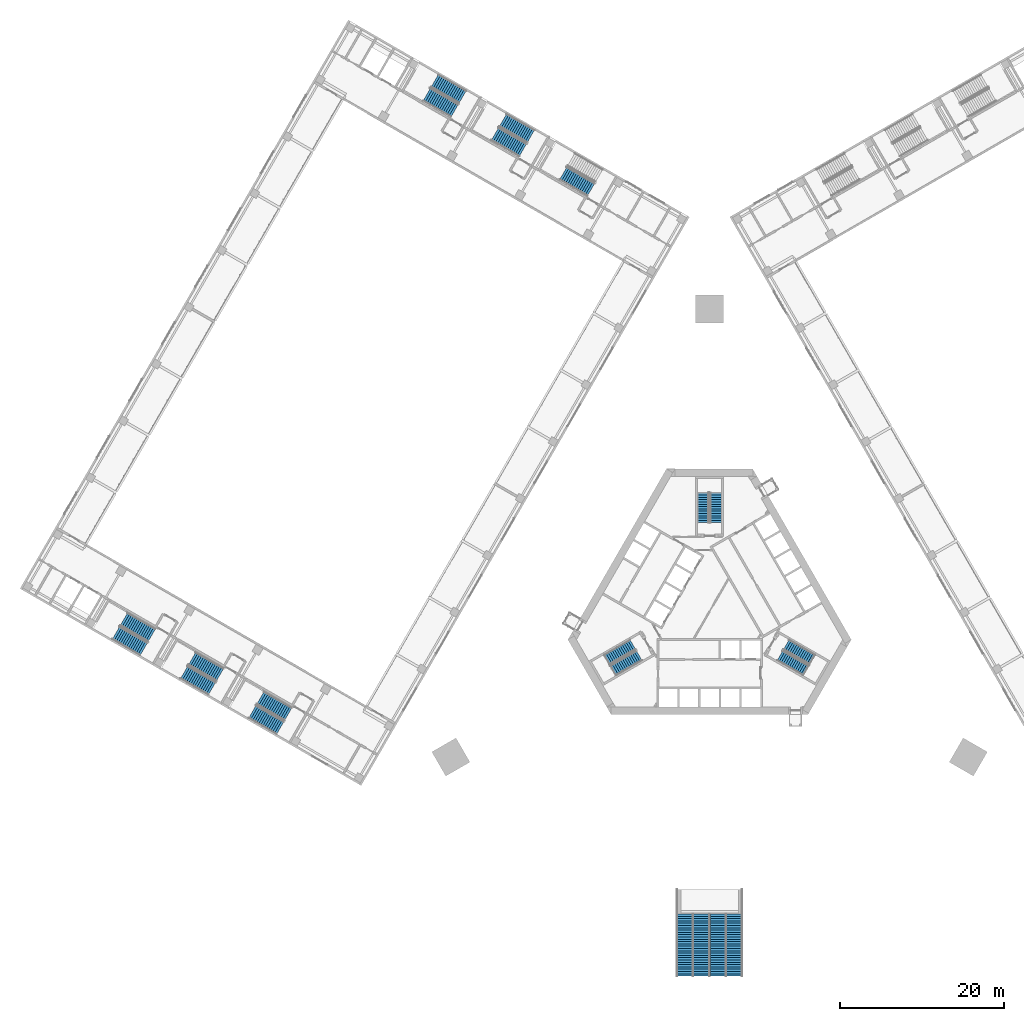
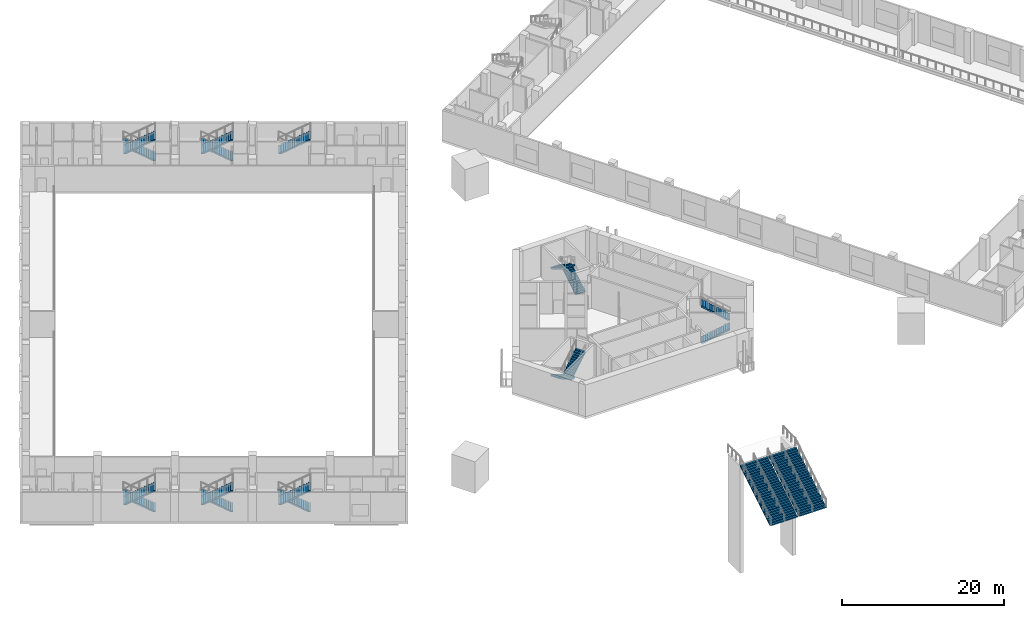
# One storey, part 19 of 28: 19 stair flights, 10 elements without a shape of their own.
"""IFC4 building model written with IfcOpenShell, lengths in metres."""

from ifc_helpers import new_model, si_unit, direction, frame, origin, place, context, subcontext, project, spatial, polyline, outline, extrude, material, type_object, element, aggregate, save


model = new_model("IFC4")

# Units and contexts
model_context = context("Model", 3, precision=1e-05, world=origin(), true_north=direction((0.0, 1.0)))
body_context = subcontext(model_context, "Body", "Model", "MODEL_VIEW")
ifc_project = project(units=[si_unit("LENGTHUNIT", "METRE"), si_unit("AREAUNIT", "SQUARE_METRE"), si_unit("VOLUMEUNIT", "CUBIC_METRE"), si_unit("PLANEANGLEUNIT", "RADIAN"), si_unit("MASSUNIT", "GRAM", prefix="KILO")], contexts=[model_context])

# Site, building, storey
site_placement = place(None, origin())
site = spatial("IfcSite", under=ifc_project, at=site_placement, CompositionType="ELEMENT")
building_placement = place(site_placement, origin())
building = spatial("IfcBuilding", under=site, at=building_placement, Name="Mestral Congress Tower", CompositionType="ELEMENT")
storey_placement = place(building_placement, frame((0.0, 0.0, 11.39990234375)))
storey = spatial("IfcBuildingStorey", under=building, at=storey_placement, Name="L02", CompositionType="ELEMENT", Elevation=11.39990234375)

# Stair, stair flights
ifc_material_1 = material(Name="Concrete C60/75", Category="concrete")
stair_type_1 = type_object("IfcStairType", Name="Exit stair 1400", PredefinedType="HALF_TURN_STAIR", material=ifc_material_1)
placement = place(storey_placement, origin())
stair_1 = element("IfcStair", 1, at=placement, inside=storey, type_object=stair_type_1, Name="L02 ST1", PredefinedType="HALF_TURN_STAIR")
stair_flight_type_1 = type_object("IfcStairFlightType", Name="Exit stair flight 1400", PredefinedType="STRAIGHT", material=ifc_material_1)
stair_flight_1_placement = place(storey_placement, frame((8.575927734375, -5.84619140625, 0.0), z_axis=(0.0, 0.0, 1.0), x_axis=(0.866025403784, -0.5, 0.0)))
stair_flight_1 = element("IfcStairFlight", 2, at=stair_flight_1_placement, type_object=stair_flight_type_1, Name="ST1 flight 1", NumberOfRisers=14, NumberOfTreads=13, PredefinedType="STRAIGHT", RiserHeight=0.171428571, TreadLength=0.28, context=body_context, shape_type="SweptSolid", body=[
    extrude(outline(polyline([(0.0, 0.0), (0.0, 0.17138671875), (0.280029296875, 0.17138671875), (0.280029296875, 0.3427734375), (0.56005859375, 0.3427734375), (0.56005859375, 0.514404296875), (0.840087890625, 0.514404296875), (0.840087890625, 0.685791015625), (1.1201171875, 0.685791015625), (1.1201171875, 0.857177734375), (1.39990234375, 0.857177734375), (1.39990234375, 1.028564453125), (1.679931640625, 1.028564453125), (1.679931640625, 1.199951171875), (1.9599609375, 1.199951171875), (1.9599609375, 1.371337890625), (2.239990234375, 1.371337890625), (2.239990234375, 1.54296875), (2.52001953125, 1.54296875), (2.52001953125, 1.71435546875), (2.800048828125, 1.71435546875), (2.800048828125, 1.8857421875), (3.080078125, 1.8857421875), (3.080078125, 2.05712890625), (3.360107421875, 2.05712890625), (3.360107421875, 2.228515625), (3.639892578125, 2.228515625), (3.639892578125, 2.39990234375), (3.639892578125, 2.052734375), (0.287109375, 0.0), (0.0, 0.0)])), frame((0.0, 0.699951171875, 0.0), z_axis=(0.0, -1.0, 0.0), x_axis=(1.0, 0.0, 0.0)), (0.0, 0.0, 1.0), 1.39990234375),
])
stair_flight_2_placement = place(storey_placement, frame((12.503173828125, -6.32373046875, 2.400146484375), z_axis=(0.0, 0.0, 1.0), x_axis=(-0.866025403784, 0.5, 0.0)))
stair_flight_2 = element("IfcStairFlight", 3, at=stair_flight_2_placement, type_object=stair_flight_type_1, Name="ST1 flight 2", NumberOfRisers=14, NumberOfTreads=13, PredefinedType="STRAIGHT", RiserHeight=0.171428571, TreadLength=0.28, context=body_context, shape_type="SweptSolid", body=[
    extrude(outline(polyline([(0.0, 0.0), (0.0, 0.17138671875), (0.280029296875, 0.17138671875), (0.280029296875, 0.3427734375), (0.56005859375, 0.3427734375), (0.56005859375, 0.514404296875), (0.840087890625, 0.514404296875), (0.840087890625, 0.685791015625), (1.1201171875, 0.685791015625), (1.1201171875, 0.857177734375), (1.39990234375, 0.857177734375), (1.39990234375, 1.028564453125), (1.679931640625, 1.028564453125), (1.679931640625, 1.199951171875), (1.9599609375, 1.199951171875), (1.9599609375, 1.371337890625), (2.239990234375, 1.371337890625), (2.239990234375, 1.54296875), (2.52001953125, 1.54296875), (2.52001953125, 1.71435546875), (2.800048828125, 1.71435546875), (2.800048828125, 1.8857421875), (3.080078125, 1.8857421875), (3.080078125, 2.05712890625), (3.360107421875, 2.05712890625), (3.360107421875, 2.228515625), (3.639892578125, 2.228515625), (3.639892578125, 2.39990234375), (3.639892578125, 2.052734375), (0.287109375, 0.0), (0.0, 0.0)])), frame((0.0, 0.699951171875, 0.0), z_axis=(0.0, -1.0, 0.0), x_axis=(1.0, 0.0, 0.0)), (0.0, 0.0, 1.0), 1.39990234375),
])
aggregate(stair_1, [stair_flight_1, stair_flight_2])

stair_2 = element("IfcStair", 4, at=placement, inside=storey, type_object=stair_type_1, Name="L02 ST2", PredefinedType="HALF_TURN_STAIR")
stair_flight_3_placement = place(storey_placement, frame((0.77490234375, 10.35009765625, 0.0), z_axis=(0.0, 0.0, 1.0), x_axis=(0.0, 1.0, 0.0)))
stair_flight_3 = element("IfcStairFlight", 5, at=stair_flight_3_placement, type_object=stair_flight_type_1, Name="ST2 flight 1", NumberOfRisers=14, NumberOfTreads=13, PredefinedType="STRAIGHT", RiserHeight=0.171428571, TreadLength=0.28, context=body_context, shape_type="SweptSolid", body=[
    extrude(outline(polyline([(0.0, 0.0), (0.0, 0.17138671875), (0.280029296875, 0.17138671875), (0.280029296875, 0.3427734375), (0.56005859375, 0.3427734375), (0.56005859375, 0.514404296875), (0.840087890625, 0.514404296875), (0.840087890625, 0.685791015625), (1.1201171875, 0.685791015625), (1.1201171875, 0.857177734375), (1.39990234375, 0.857177734375), (1.39990234375, 1.028564453125), (1.679931640625, 1.028564453125), (1.679931640625, 1.199951171875), (1.9599609375, 1.199951171875), (1.9599609375, 1.371337890625), (2.239990234375, 1.371337890625), (2.239990234375, 1.54296875), (2.52001953125, 1.54296875), (2.52001953125, 1.71435546875), (2.800048828125, 1.71435546875), (2.800048828125, 1.8857421875), (3.080078125, 1.8857421875), (3.080078125, 2.05712890625), (3.360107421875, 2.05712890625), (3.360107421875, 2.228515625), (3.639892578125, 2.228515625), (3.639892578125, 2.39990234375), (3.639892578125, 2.052734375), (0.287109375, 0.0), (0.0, 0.0)])), frame((0.0, 0.699951171875, 0.0), z_axis=(0.0, -1.0, 0.0), x_axis=(1.0, 0.0, 0.0)), (0.0, 0.0, 1.0), 1.39990234375),
])
stair_flight_4_placement = place(storey_placement, frame((-0.77490234375, 13.989990234375, 2.400146484375), z_axis=(0.0, 0.0, 1.0), x_axis=(0.0, -1.0, 0.0)))
stair_flight_4 = element("IfcStairFlight", 6, at=stair_flight_4_placement, type_object=stair_flight_type_1, Name="ST2 flight 2", NumberOfRisers=14, NumberOfTreads=13, PredefinedType="STRAIGHT", RiserHeight=0.171428571, TreadLength=0.28, context=body_context, shape_type="SweptSolid", body=[
    extrude(outline(polyline([(0.0, 0.0), (0.0, 0.17138671875), (0.280029296875, 0.17138671875), (0.280029296875, 0.3427734375), (0.56005859375, 0.3427734375), (0.56005859375, 0.514404296875), (0.840087890625, 0.514404296875), (0.840087890625, 0.685791015625), (1.1201171875, 0.685791015625), (1.1201171875, 0.857177734375), (1.39990234375, 0.857177734375), (1.39990234375, 1.028564453125), (1.679931640625, 1.028564453125), (1.679931640625, 1.199951171875), (1.9599609375, 1.199951171875), (1.9599609375, 1.371337890625), (2.239990234375, 1.371337890625), (2.239990234375, 1.54296875), (2.52001953125, 1.54296875), (2.52001953125, 1.71435546875), (2.800048828125, 1.71435546875), (2.800048828125, 1.8857421875), (3.080078125, 1.8857421875), (3.080078125, 2.05712890625), (3.360107421875, 2.05712890625), (3.360107421875, 2.228515625), (3.639892578125, 2.228515625), (3.639892578125, 2.39990234375), (3.639892578125, 2.052734375), (0.287109375, 0.0), (0.0, 0.0)])), frame((0.0, 0.699951171875, 0.0), z_axis=(0.0, -1.0, 0.0), x_axis=(1.0, 0.0, 0.0)), (0.0, 0.0, 1.0), 1.39990234375),
])
aggregate(stair_2, [stair_flight_3, stair_flight_4])

stair_3 = element("IfcStair", 7, at=placement, inside=storey, type_object=stair_type_1, Name="L02 ST3", PredefinedType="HALF_TURN_STAIR")
stair_flight_5_placement = place(storey_placement, frame((-9.350830078125, -4.50390625, 0.0), z_axis=(0.0, 0.0, 1.0), x_axis=(-0.866025403784, -0.5, 0.0)))
stair_flight_5 = element("IfcStairFlight", 8, at=stair_flight_5_placement, type_object=stair_flight_type_1, Name="ST3 flight 1", NumberOfRisers=14, NumberOfTreads=13, PredefinedType="STRAIGHT", RiserHeight=0.171428571, TreadLength=0.28, context=body_context, shape_type="SweptSolid", body=[
    extrude(outline(polyline([(0.0, 0.0), (0.0, 0.17138671875), (0.280029296875, 0.17138671875), (0.280029296875, 0.3427734375), (0.56005859375, 0.3427734375), (0.56005859375, 0.514404296875), (0.840087890625, 0.514404296875), (0.840087890625, 0.685791015625), (1.1201171875, 0.685791015625), (1.1201171875, 0.857177734375), (1.39990234375, 0.857177734375), (1.39990234375, 1.028564453125), (1.679931640625, 1.028564453125), (1.679931640625, 1.199951171875), (1.9599609375, 1.199951171875), (1.9599609375, 1.371337890625), (2.239990234375, 1.371337890625), (2.239990234375, 1.54296875), (2.52001953125, 1.54296875), (2.52001953125, 1.71435546875), (2.800048828125, 1.71435546875), (2.800048828125, 1.8857421875), (3.080078125, 1.8857421875), (3.080078125, 2.05712890625), (3.360107421875, 2.05712890625), (3.360107421875, 2.228515625), (3.639892578125, 2.228515625), (3.639892578125, 2.39990234375), (3.639892578125, 2.052734375), (0.287109375, 0.0), (0.0, 0.0)])), frame((0.0, 0.699951171875, 0.0), z_axis=(0.0, -1.0, 0.0), x_axis=(1.0, 0.0, 0.0)), (0.0, 0.0, 1.0), 1.39990234375),
])
stair_flight_6_placement = place(storey_placement, frame((-11.728271484375, -7.666259765625, 2.400146484375), z_axis=(0.0, 0.0, 1.0), x_axis=(0.866025403784, 0.5, 0.0)))
stair_flight_6 = element("IfcStairFlight", 9, at=stair_flight_6_placement, type_object=stair_flight_type_1, Name="ST3 flight 2", NumberOfRisers=14, NumberOfTreads=13, PredefinedType="STRAIGHT", RiserHeight=0.171428571, TreadLength=0.28, context=body_context, shape_type="SweptSolid", body=[
    extrude(outline(polyline([(0.0, 0.0), (0.0, 0.17138671875), (0.280029296875, 0.17138671875), (0.280029296875, 0.3427734375), (0.56005859375, 0.3427734375), (0.56005859375, 0.514404296875), (0.840087890625, 0.514404296875), (0.840087890625, 0.685791015625), (1.1201171875, 0.685791015625), (1.1201171875, 0.857177734375), (1.39990234375, 0.857177734375), (1.39990234375, 1.028564453125), (1.679931640625, 1.028564453125), (1.679931640625, 1.199951171875), (1.9599609375, 1.199951171875), (1.9599609375, 1.371337890625), (2.239990234375, 1.371337890625), (2.239990234375, 1.54296875), (2.52001953125, 1.54296875), (2.52001953125, 1.71435546875), (2.800048828125, 1.71435546875), (2.800048828125, 1.8857421875), (3.080078125, 1.8857421875), (3.080078125, 2.05712890625), (3.360107421875, 2.05712890625), (3.360107421875, 2.228515625), (3.639892578125, 2.228515625), (3.639892578125, 2.39990234375), (3.639892578125, 2.052734375), (0.287109375, 0.0), (0.0, 0.0)])), frame((0.0, 0.699951171875, 0.0), z_axis=(0.0, -1.0, 0.0), x_axis=(1.0, 0.0, 0.0)), (0.0, 0.0, 1.0), 1.39990234375),
])
aggregate(stair_3, [stair_flight_5, stair_flight_6])

ifc_material_2 = material(Name="Precast concrete C40/50", Category="concrete")
stair_type_2 = type_object("IfcStairType", Name="Podium broad stair 8000", PredefinedType="STRAIGHT_RUN_STAIR", material=ifc_material_2)
stair_4 = element("IfcStair", 10, at=placement, inside=storey, type_object=stair_type_2, Name="Broad stairs L02", PredefinedType="STRAIGHT_RUN_STAIR")
stair_flight_type_2 = type_object("IfcStairFlightType", Name="Podium broad stair flight 3900", PredefinedType="STRAIGHT", material=ifc_material_2)
stair_flight_7_placement = place(storey_placement, frame((-2.050048828125, -44.887939453125, 0.0), z_axis=(0.0, 0.0, 1.0), x_axis=(0.0, 1.0, 0.0)))
stair_flight_7 = element("IfcStairFlight", 11, at=stair_flight_7_placement, type_object=stair_flight_type_2, Name="BST-L02 flight 1", NumberOfRisers=28, NumberOfTreads=27, PredefinedType="STRAIGHT", RiserHeight=0.171429, TreadLength=0.28, context=body_context, shape_type="SweptSolid", body=[
    extrude(outline(polyline([(0.0, 0.0), (0.0, 0.17138671875), (0.280029296875, 0.17138671875), (0.280029296875, 0.3427734375), (0.56005859375, 0.3427734375), (0.56005859375, 0.514404296875), (0.840087890625, 0.514404296875), (0.840087890625, 0.685791015625), (1.1201171875, 0.685791015625), (1.1201171875, 0.857177734375), (1.39990234375, 0.857177734375), (1.39990234375, 1.028564453125), (1.679931640625, 1.028564453125), (1.679931640625, 1.199951171875), (1.9599609375, 1.199951171875), (1.9599609375, 1.371337890625), (2.239990234375, 1.371337890625), (2.239990234375, 1.54296875), (2.52001953125, 1.54296875), (2.52001953125, 1.71435546875), (2.800048828125, 1.71435546875), (2.800048828125, 1.8857421875), (3.080078125, 1.8857421875), (3.080078125, 2.05712890625), (3.360107421875, 2.05712890625), (3.360107421875, 2.228515625), (3.639892578125, 2.228515625), (3.639892578125, 2.39990234375), (3.919921875, 2.39990234375), (3.919921875, 2.571533203125), (4.199951171875, 2.571533203125), (4.199951171875, 2.742919921875), (4.47998046875, 2.742919921875), (4.47998046875, 2.914306640625), (4.760009765625, 2.914306640625), (4.760009765625, 3.085693359375), (5.0400390625, 3.085693359375), (5.0400390625, 3.257080078125), (5.320068359375, 3.257080078125), (5.320068359375, 3.428466796875), (5.60009765625, 3.428466796875), (5.60009765625, 3.60009765625), (5.8798828125, 3.60009765625), (5.8798828125, 3.771484375), (6.159912109375, 3.771484375), (6.159912109375, 3.94287109375), (6.43994140625, 3.94287109375), (6.43994140625, 4.1142578125), (6.719970703125, 4.1142578125), (6.719970703125, 4.28564453125), (7.0, 4.28564453125), (7.0, 4.457275390625), (7.280029296875, 4.457275390625), (7.280029296875, 4.628662109375), (7.56005859375, 4.628662109375), (7.56005859375, 4.800048828125), (7.56005859375, 4.452880859375), (0.287109375, 0.0), (0.0, 0.0)])), frame((0.0, 1.949951171875, 0.0), z_axis=(0.0, -1.0, 0.0), x_axis=(1.0, 0.0, 0.0)), (0.0, 0.0, 1.0), 3.89990234375),
])
stair_flight_8_placement = place(storey_placement, frame((2.050048828125, -44.887939453125, 0.0), z_axis=(0.0, 0.0, 1.0), x_axis=(0.0, 1.0, 0.0)))
stair_flight_8 = element("IfcStairFlight", 12, at=stair_flight_8_placement, type_object=stair_flight_type_2, Name="BST-L02 flight 2", NumberOfRisers=28, NumberOfTreads=27, PredefinedType="STRAIGHT", RiserHeight=0.171429, TreadLength=0.28, context=body_context, shape_type="SweptSolid", body=[
    extrude(outline(polyline([(0.0, 0.0), (0.0, 0.17138671875), (0.280029296875, 0.17138671875), (0.280029296875, 0.3427734375), (0.56005859375, 0.3427734375), (0.56005859375, 0.514404296875), (0.840087890625, 0.514404296875), (0.840087890625, 0.685791015625), (1.1201171875, 0.685791015625), (1.1201171875, 0.857177734375), (1.39990234375, 0.857177734375), (1.39990234375, 1.028564453125), (1.679931640625, 1.028564453125), (1.679931640625, 1.199951171875), (1.9599609375, 1.199951171875), (1.9599609375, 1.371337890625), (2.239990234375, 1.371337890625), (2.239990234375, 1.54296875), (2.52001953125, 1.54296875), (2.52001953125, 1.71435546875), (2.800048828125, 1.71435546875), (2.800048828125, 1.8857421875), (3.080078125, 1.8857421875), (3.080078125, 2.05712890625), (3.360107421875, 2.05712890625), (3.360107421875, 2.228515625), (3.639892578125, 2.228515625), (3.639892578125, 2.39990234375), (3.919921875, 2.39990234375), (3.919921875, 2.571533203125), (4.199951171875, 2.571533203125), (4.199951171875, 2.742919921875), (4.47998046875, 2.742919921875), (4.47998046875, 2.914306640625), (4.760009765625, 2.914306640625), (4.760009765625, 3.085693359375), (5.0400390625, 3.085693359375), (5.0400390625, 3.257080078125), (5.320068359375, 3.257080078125), (5.320068359375, 3.428466796875), (5.60009765625, 3.428466796875), (5.60009765625, 3.60009765625), (5.8798828125, 3.60009765625), (5.8798828125, 3.771484375), (6.159912109375, 3.771484375), (6.159912109375, 3.94287109375), (6.43994140625, 3.94287109375), (6.43994140625, 4.1142578125), (6.719970703125, 4.1142578125), (6.719970703125, 4.28564453125), (7.0, 4.28564453125), (7.0, 4.457275390625), (7.280029296875, 4.457275390625), (7.280029296875, 4.628662109375), (7.56005859375, 4.628662109375), (7.56005859375, 4.800048828125), (7.56005859375, 4.452880859375), (0.287109375, 0.0), (0.0, 0.0)])), frame((0.0, 1.949951171875, 0.0), z_axis=(0.0, -1.0, 0.0), x_axis=(1.0, 0.0, 0.0)), (0.0, 0.0, 1.0), 3.89990234375),
])
aggregate(stair_4, [stair_flight_7, stair_flight_8])

# Stair, stair flight
ifc_material_3 = material(Name="Concrete C40/50", Category="concrete")
stair_type_3 = type_object("IfcStairType", Name="Podium exit stair 1800", PredefinedType="HALF_TURN_STAIR", material=ifc_material_3)
stair_5 = element("IfcStair", 13, at=placement, inside=storey, type_object=stair_type_3, Name="L02 Exit stair W1", PredefinedType="HALF_TURN_STAIR")
stair_flight_type_3 = type_object("IfcStairFlightType", Name="Podium exit stair flight 1800", PredefinedType="STRAIGHT", material=ifc_material_3)
stair_flight_9_placement = place(storey_placement, frame((-17.834716796875, 52.9052734375, 2.400146484375), z_axis=(0.0, 0.0, 1.0), x_axis=(0.866025403784, -0.5, 0.0)))
stair_flight_9 = element("IfcStairFlight", 14, at=stair_flight_9_placement, type_object=stair_flight_type_3, Name="PS-W1 flight 2", NumberOfRisers=15, NumberOfTreads=14, PredefinedType="STRAIGHT", RiserHeight=0.16, TreadLength=0.28, context=body_context, shape_type="SweptSolid", body=[
    extrude(outline(polyline([(0.0, 0.0), (0.0, 0.159912109375), (0.280029296875, 0.159912109375), (0.280029296875, 0.320068359375), (0.56005859375, 0.320068359375), (0.56005859375, 0.47998046875), (0.840087890625, 0.47998046875), (0.840087890625, 0.639892578125), (1.1201171875, 0.639892578125), (1.1201171875, 0.800048828125), (1.39990234375, 0.800048828125), (1.39990234375, 0.9599609375), (1.679931640625, 0.9599609375), (1.679931640625, 1.1201171875), (1.9599609375, 1.1201171875), (1.9599609375, 1.280029296875), (2.239990234375, 1.280029296875), (2.239990234375, 1.43994140625), (2.52001953125, 1.43994140625), (2.52001953125, 1.60009765625), (2.800048828125, 1.60009765625), (2.800048828125, 1.760009765625), (3.080078125, 1.760009765625), (3.080078125, 1.919921875), (3.360107421875, 1.919921875), (3.360107421875, 2.080078125), (3.639892578125, 2.080078125), (3.639892578125, 2.239990234375), (3.919921875, 2.239990234375), (3.919921875, 2.39990234375), (3.919921875, 2.0673828125), (0.30224609375, 0.0), (0.0, 0.0)])), frame((0.0, 0.89990234375, 0.0), z_axis=(0.0, -1.0, 0.0), x_axis=(1.0, 0.0, 0.0)), (0.0, 0.0, 1.0), 1.800048828125),
])
aggregate(stair_5, [stair_flight_9])

# Stair, stair flights
stair_6 = element("IfcStair", 15, at=placement, inside=storey, type_object=stair_type_3, Name="L02 Exit stair W2", PredefinedType="HALF_TURN_STAIR")
stair_flight_10_placement = place(storey_placement, frame((-21.77880859375, 57.43408203125, 0.0), z_axis=(0.0, 0.0, 1.0), x_axis=(-0.866025403784, 0.5, 0.0)))
stair_flight_10 = element("IfcStairFlight", 16, at=stair_flight_10_placement, type_object=stair_flight_type_3, Name="PS-W2 flight 1", NumberOfRisers=15, NumberOfTreads=14, PredefinedType="STRAIGHT", RiserHeight=0.16, TreadLength=0.28, context=body_context, shape_type="SweptSolid", body=[
    extrude(outline(polyline([(0.0, 0.0), (0.0, 0.159912109375), (0.280029296875, 0.159912109375), (0.280029296875, 0.320068359375), (0.56005859375, 0.320068359375), (0.56005859375, 0.47998046875), (0.840087890625, 0.47998046875), (0.840087890625, 0.639892578125), (1.1201171875, 0.639892578125), (1.1201171875, 0.800048828125), (1.39990234375, 0.800048828125), (1.39990234375, 0.9599609375), (1.679931640625, 0.9599609375), (1.679931640625, 1.1201171875), (1.9599609375, 1.1201171875), (1.9599609375, 1.280029296875), (2.239990234375, 1.280029296875), (2.239990234375, 1.43994140625), (2.52001953125, 1.43994140625), (2.52001953125, 1.60009765625), (2.800048828125, 1.60009765625), (2.800048828125, 1.760009765625), (3.080078125, 1.760009765625), (3.080078125, 1.919921875), (3.360107421875, 1.919921875), (3.360107421875, 2.080078125), (3.639892578125, 2.080078125), (3.639892578125, 2.239990234375), (3.919921875, 2.239990234375), (3.919921875, 2.39990234375), (3.919921875, 2.0673828125), (0.30224609375, 0.0), (0.0, 0.0)])), frame((0.0, 0.89990234375, 0.0), z_axis=(0.0, -1.0, 0.0), x_axis=(1.0, 0.0, 0.0)), (0.0, 0.0, 1.0), 1.800048828125),
])
stair_flight_11_placement = place(storey_placement, frame((-26.148681640625, 57.705322265625, 2.400146484375), z_axis=(0.0, 0.0, 1.0), x_axis=(0.866025403784, -0.5, 0.0)))
stair_flight_11 = element("IfcStairFlight", 17, at=stair_flight_11_placement, type_object=stair_flight_type_3, Name="PS-W2 flight 2", NumberOfRisers=15, NumberOfTreads=14, PredefinedType="STRAIGHT", RiserHeight=0.16, TreadLength=0.28, context=body_context, shape_type="SweptSolid", body=[
    extrude(outline(polyline([(0.0, 0.0), (0.0, 0.159912109375), (0.280029296875, 0.159912109375), (0.280029296875, 0.320068359375), (0.56005859375, 0.320068359375), (0.56005859375, 0.47998046875), (0.840087890625, 0.47998046875), (0.840087890625, 0.639892578125), (1.1201171875, 0.639892578125), (1.1201171875, 0.800048828125), (1.39990234375, 0.800048828125), (1.39990234375, 0.9599609375), (1.679931640625, 0.9599609375), (1.679931640625, 1.1201171875), (1.9599609375, 1.1201171875), (1.9599609375, 1.280029296875), (2.239990234375, 1.280029296875), (2.239990234375, 1.43994140625), (2.52001953125, 1.43994140625), (2.52001953125, 1.60009765625), (2.800048828125, 1.60009765625), (2.800048828125, 1.760009765625), (3.080078125, 1.760009765625), (3.080078125, 1.919921875), (3.360107421875, 1.919921875), (3.360107421875, 2.080078125), (3.639892578125, 2.080078125), (3.639892578125, 2.239990234375), (3.919921875, 2.239990234375), (3.919921875, 2.39990234375), (3.919921875, 2.0673828125), (0.30224609375, 0.0), (0.0, 0.0)])), frame((0.0, 0.89990234375, 0.0), z_axis=(0.0, -1.0, 0.0), x_axis=(1.0, 0.0, 0.0)), (0.0, 0.0, 1.0), 1.800048828125),
])
aggregate(stair_6, [stair_flight_10, stair_flight_11])

stair_7 = element("IfcStair", 18, at=placement, inside=storey, type_object=stair_type_3, Name="L02 Exit stair W3", PredefinedType="HALF_TURN_STAIR")
stair_flight_12_placement = place(storey_placement, frame((-30.092529296875, 62.234130859375, 0.0), z_axis=(0.0, 0.0, 1.0), x_axis=(-0.866025403784, 0.5, 0.0)))
stair_flight_12 = element("IfcStairFlight", 19, at=stair_flight_12_placement, type_object=stair_flight_type_3, Name="PS-W3 flight 1", NumberOfRisers=15, NumberOfTreads=14, PredefinedType="STRAIGHT", RiserHeight=0.16, TreadLength=0.28, context=body_context, shape_type="SweptSolid", body=[
    extrude(outline(polyline([(0.0, 0.0), (0.0, 0.159912109375), (0.280029296875, 0.159912109375), (0.280029296875, 0.320068359375), (0.56005859375, 0.320068359375), (0.56005859375, 0.47998046875), (0.840087890625, 0.47998046875), (0.840087890625, 0.639892578125), (1.1201171875, 0.639892578125), (1.1201171875, 0.800048828125), (1.39990234375, 0.800048828125), (1.39990234375, 0.9599609375), (1.679931640625, 0.9599609375), (1.679931640625, 1.1201171875), (1.9599609375, 1.1201171875), (1.9599609375, 1.280029296875), (2.239990234375, 1.280029296875), (2.239990234375, 1.43994140625), (2.52001953125, 1.43994140625), (2.52001953125, 1.60009765625), (2.800048828125, 1.60009765625), (2.800048828125, 1.760009765625), (3.080078125, 1.760009765625), (3.080078125, 1.919921875), (3.360107421875, 1.919921875), (3.360107421875, 2.080078125), (3.639892578125, 2.080078125), (3.639892578125, 2.239990234375), (3.919921875, 2.239990234375), (3.919921875, 2.39990234375), (3.919921875, 2.0673828125), (0.30224609375, 0.0), (0.0, 0.0)])), frame((0.0, 0.89990234375, 0.0), z_axis=(0.0, -1.0, 0.0), x_axis=(1.0, 0.0, 0.0)), (0.0, 0.0, 1.0), 1.800048828125),
])
stair_flight_13_placement = place(storey_placement, frame((-34.46240234375, 62.50537109375, 2.400146484375), z_axis=(0.0, 0.0, 1.0), x_axis=(0.866025403784, -0.5, 0.0)))
stair_flight_13 = element("IfcStairFlight", 20, at=stair_flight_13_placement, type_object=stair_flight_type_3, Name="PS-W3 flight 2", NumberOfRisers=15, NumberOfTreads=14, PredefinedType="STRAIGHT", RiserHeight=0.16, TreadLength=0.28, context=body_context, shape_type="SweptSolid", body=[
    extrude(outline(polyline([(0.0, 0.0), (0.0, 0.159912109375), (0.280029296875, 0.159912109375), (0.280029296875, 0.320068359375), (0.56005859375, 0.320068359375), (0.56005859375, 0.47998046875), (0.840087890625, 0.47998046875), (0.840087890625, 0.639892578125), (1.1201171875, 0.639892578125), (1.1201171875, 0.800048828125), (1.39990234375, 0.800048828125), (1.39990234375, 0.9599609375), (1.679931640625, 0.9599609375), (1.679931640625, 1.1201171875), (1.9599609375, 1.1201171875), (1.9599609375, 1.280029296875), (2.239990234375, 1.280029296875), (2.239990234375, 1.43994140625), (2.52001953125, 1.43994140625), (2.52001953125, 1.60009765625), (2.800048828125, 1.60009765625), (2.800048828125, 1.760009765625), (3.080078125, 1.760009765625), (3.080078125, 1.919921875), (3.360107421875, 1.919921875), (3.360107421875, 2.080078125), (3.639892578125, 2.080078125), (3.639892578125, 2.239990234375), (3.919921875, 2.239990234375), (3.919921875, 2.39990234375), (3.919921875, 2.0673828125), (0.30224609375, 0.0), (0.0, 0.0)])), frame((0.0, 0.89990234375, 0.0), z_axis=(0.0, -1.0, 0.0), x_axis=(1.0, 0.0, 0.0)), (0.0, 0.0, 1.0), 1.800048828125),
])
aggregate(stair_7, [stair_flight_12, stair_flight_13])

stair_8 = element("IfcStair", 21, at=placement, inside=storey, type_object=stair_type_3, Name="L02 Exit stair W4", PredefinedType="HALF_TURN_STAIR")
stair_flight_14_placement = place(storey_placement, frame((-51.33984375, -12.96728515625, 0.0), z_axis=(0.0, 0.0, 1.0), x_axis=(-0.866025403784, 0.5, 0.0)))
stair_flight_14 = element("IfcStairFlight", 22, at=stair_flight_14_placement, type_object=stair_flight_type_3, Name="PS-W4 flight 1", NumberOfRisers=15, NumberOfTreads=14, PredefinedType="STRAIGHT", RiserHeight=0.16, TreadLength=0.28, context=body_context, shape_type="SweptSolid", body=[
    extrude(outline(polyline([(0.0, 0.0), (0.0, 0.159912109375), (0.280029296875, 0.159912109375), (0.280029296875, 0.320068359375), (0.56005859375, 0.320068359375), (0.56005859375, 0.47998046875), (0.840087890625, 0.47998046875), (0.840087890625, 0.639892578125), (1.1201171875, 0.639892578125), (1.1201171875, 0.800048828125), (1.39990234375, 0.800048828125), (1.39990234375, 0.9599609375), (1.679931640625, 0.9599609375), (1.679931640625, 1.1201171875), (1.9599609375, 1.1201171875), (1.9599609375, 1.280029296875), (2.239990234375, 1.280029296875), (2.239990234375, 1.43994140625), (2.52001953125, 1.43994140625), (2.52001953125, 1.60009765625), (2.800048828125, 1.60009765625), (2.800048828125, 1.760009765625), (3.080078125, 1.760009765625), (3.080078125, 1.919921875), (3.360107421875, 1.919921875), (3.360107421875, 2.080078125), (3.639892578125, 2.080078125), (3.639892578125, 2.239990234375), (3.919921875, 2.239990234375), (3.919921875, 2.39990234375), (3.919921875, 2.0673828125), (0.30224609375, 0.0), (0.0, 0.0)])), frame((0.0, 0.89990234375, 0.0), z_axis=(0.0, -1.0, 0.0), x_axis=(1.0, 0.0, 0.0)), (0.0, 0.0, 1.0), 1.800048828125),
])
stair_flight_15_placement = place(storey_placement, frame((-55.709716796875, -12.696044921875, 2.400146484375), z_axis=(0.0, 0.0, 1.0), x_axis=(0.866025403784, -0.5, 0.0)))
stair_flight_15 = element("IfcStairFlight", 23, at=stair_flight_15_placement, type_object=stair_flight_type_3, Name="PS-W4 flight 2", NumberOfRisers=15, NumberOfTreads=14, PredefinedType="STRAIGHT", RiserHeight=0.16, TreadLength=0.28, context=body_context, shape_type="SweptSolid", body=[
    extrude(outline(polyline([(0.0, 0.0), (0.0, 0.159912109375), (0.280029296875, 0.159912109375), (0.280029296875, 0.320068359375), (0.56005859375, 0.320068359375), (0.56005859375, 0.47998046875), (0.840087890625, 0.47998046875), (0.840087890625, 0.639892578125), (1.1201171875, 0.639892578125), (1.1201171875, 0.800048828125), (1.39990234375, 0.800048828125), (1.39990234375, 0.9599609375), (1.679931640625, 0.9599609375), (1.679931640625, 1.1201171875), (1.9599609375, 1.1201171875), (1.9599609375, 1.280029296875), (2.239990234375, 1.280029296875), (2.239990234375, 1.43994140625), (2.52001953125, 1.43994140625), (2.52001953125, 1.60009765625), (2.800048828125, 1.60009765625), (2.800048828125, 1.760009765625), (3.080078125, 1.760009765625), (3.080078125, 1.919921875), (3.360107421875, 1.919921875), (3.360107421875, 2.080078125), (3.639892578125, 2.080078125), (3.639892578125, 2.239990234375), (3.919921875, 2.239990234375), (3.919921875, 2.39990234375), (3.919921875, 2.0673828125), (0.30224609375, 0.0), (0.0, 0.0)])), frame((0.0, 0.89990234375, 0.0), z_axis=(0.0, -1.0, 0.0), x_axis=(1.0, 0.0, 0.0)), (0.0, 0.0, 1.0), 1.800048828125),
])
aggregate(stair_8, [stair_flight_14, stair_flight_15])

stair_9 = element("IfcStair", 24, at=placement, inside=storey, type_object=stair_type_3, Name="L02 Exit stair W5", PredefinedType="HALF_TURN_STAIR")
stair_flight_16_placement = place(storey_placement, frame((-59.65380859375, -8.167236328125, 0.0), z_axis=(0.0, 0.0, 1.0), x_axis=(-0.866025403784, 0.5, 0.0)))
stair_flight_16 = element("IfcStairFlight", 25, at=stair_flight_16_placement, type_object=stair_flight_type_3, Name="PS-W5 flight 1", NumberOfRisers=15, NumberOfTreads=14, PredefinedType="STRAIGHT", RiserHeight=0.16, TreadLength=0.28, context=body_context, shape_type="SweptSolid", body=[
    extrude(outline(polyline([(0.0, 0.0), (0.0, 0.159912109375), (0.280029296875, 0.159912109375), (0.280029296875, 0.320068359375), (0.56005859375, 0.320068359375), (0.56005859375, 0.47998046875), (0.840087890625, 0.47998046875), (0.840087890625, 0.639892578125), (1.1201171875, 0.639892578125), (1.1201171875, 0.800048828125), (1.39990234375, 0.800048828125), (1.39990234375, 0.9599609375), (1.679931640625, 0.9599609375), (1.679931640625, 1.1201171875), (1.9599609375, 1.1201171875), (1.9599609375, 1.280029296875), (2.239990234375, 1.280029296875), (2.239990234375, 1.43994140625), (2.52001953125, 1.43994140625), (2.52001953125, 1.60009765625), (2.800048828125, 1.60009765625), (2.800048828125, 1.760009765625), (3.080078125, 1.760009765625), (3.080078125, 1.919921875), (3.360107421875, 1.919921875), (3.360107421875, 2.080078125), (3.639892578125, 2.080078125), (3.639892578125, 2.239990234375), (3.919921875, 2.239990234375), (3.919921875, 2.39990234375), (3.919921875, 2.0673828125), (0.30224609375, 0.0), (0.0, 0.0)])), frame((0.0, 0.89990234375, 0.0), z_axis=(0.0, -1.0, 0.0), x_axis=(1.0, 0.0, 0.0)), (0.0, 0.0, 1.0), 1.800048828125),
])
stair_flight_17_placement = place(storey_placement, frame((-64.023681640625, -7.89599609375, 2.400146484375), z_axis=(0.0, 0.0, 1.0), x_axis=(0.866025403784, -0.5, 0.0)))
stair_flight_17 = element("IfcStairFlight", 26, at=stair_flight_17_placement, type_object=stair_flight_type_3, Name="PS-W5 flight 2", NumberOfRisers=15, NumberOfTreads=14, PredefinedType="STRAIGHT", RiserHeight=0.16, TreadLength=0.28, context=body_context, shape_type="SweptSolid", body=[
    extrude(outline(polyline([(0.0, 0.0), (0.0, 0.159912109375), (0.280029296875, 0.159912109375), (0.280029296875, 0.320068359375), (0.56005859375, 0.320068359375), (0.56005859375, 0.47998046875), (0.840087890625, 0.47998046875), (0.840087890625, 0.639892578125), (1.1201171875, 0.639892578125), (1.1201171875, 0.800048828125), (1.39990234375, 0.800048828125), (1.39990234375, 0.9599609375), (1.679931640625, 0.9599609375), (1.679931640625, 1.1201171875), (1.9599609375, 1.1201171875), (1.9599609375, 1.280029296875), (2.239990234375, 1.280029296875), (2.239990234375, 1.43994140625), (2.52001953125, 1.43994140625), (2.52001953125, 1.60009765625), (2.800048828125, 1.60009765625), (2.800048828125, 1.760009765625), (3.080078125, 1.760009765625), (3.080078125, 1.919921875), (3.360107421875, 1.919921875), (3.360107421875, 2.080078125), (3.639892578125, 2.080078125), (3.639892578125, 2.239990234375), (3.919921875, 2.239990234375), (3.919921875, 2.39990234375), (3.919921875, 2.0673828125), (0.30224609375, 0.0), (0.0, 0.0)])), frame((0.0, 0.89990234375, 0.0), z_axis=(0.0, -1.0, 0.0), x_axis=(1.0, 0.0, 0.0)), (0.0, 0.0, 1.0), 1.800048828125),
])
aggregate(stair_9, [stair_flight_16, stair_flight_17])

stair_10 = element("IfcStair", 27, at=placement, inside=storey, type_object=stair_type_3, Name="L02 Exit stair W6", PredefinedType="HALF_TURN_STAIR")
stair_flight_18_placement = place(storey_placement, frame((-67.967529296875, -3.367431640625, 0.0), z_axis=(0.0, 0.0, 1.0), x_axis=(-0.866025403784, 0.5, 0.0)))
stair_flight_18 = element("IfcStairFlight", 28, at=stair_flight_18_placement, type_object=stair_flight_type_3, Name="PS-W6 flight 1", NumberOfRisers=15, NumberOfTreads=14, PredefinedType="STRAIGHT", RiserHeight=0.16, TreadLength=0.28, context=body_context, shape_type="SweptSolid", body=[
    extrude(outline(polyline([(0.0, 0.0), (0.0, 0.159912109375), (0.280029296875, 0.159912109375), (0.280029296875, 0.320068359375), (0.56005859375, 0.320068359375), (0.56005859375, 0.47998046875), (0.840087890625, 0.47998046875), (0.840087890625, 0.639892578125), (1.1201171875, 0.639892578125), (1.1201171875, 0.800048828125), (1.39990234375, 0.800048828125), (1.39990234375, 0.9599609375), (1.679931640625, 0.9599609375), (1.679931640625, 1.1201171875), (1.9599609375, 1.1201171875), (1.9599609375, 1.280029296875), (2.239990234375, 1.280029296875), (2.239990234375, 1.43994140625), (2.52001953125, 1.43994140625), (2.52001953125, 1.60009765625), (2.800048828125, 1.60009765625), (2.800048828125, 1.760009765625), (3.080078125, 1.760009765625), (3.080078125, 1.919921875), (3.360107421875, 1.919921875), (3.360107421875, 2.080078125), (3.639892578125, 2.080078125), (3.639892578125, 2.239990234375), (3.919921875, 2.239990234375), (3.919921875, 2.39990234375), (3.919921875, 2.0673828125), (0.30224609375, 0.0), (0.0, 0.0)])), frame((0.0, 0.89990234375, 0.0), z_axis=(0.0, -1.0, 0.0), x_axis=(1.0, 0.0, 0.0)), (0.0, 0.0, 1.0), 1.800048828125),
])
stair_flight_19_placement = place(storey_placement, frame((-72.33740234375, -3.09619140625, 2.400146484375), z_axis=(0.0, 0.0, 1.0), x_axis=(0.866025403784, -0.5, 0.0)))
stair_flight_19 = element("IfcStairFlight", 29, at=stair_flight_19_placement, type_object=stair_flight_type_3, Name="PS-W6 flight 2", NumberOfRisers=15, NumberOfTreads=14, PredefinedType="STRAIGHT", RiserHeight=0.16, TreadLength=0.28, context=body_context, shape_type="SweptSolid", body=[
    extrude(outline(polyline([(0.0, 0.0), (0.0, 0.159912109375), (0.280029296875, 0.159912109375), (0.280029296875, 0.320068359375), (0.56005859375, 0.320068359375), (0.56005859375, 0.47998046875), (0.840087890625, 0.47998046875), (0.840087890625, 0.639892578125), (1.1201171875, 0.639892578125), (1.1201171875, 0.800048828125), (1.39990234375, 0.800048828125), (1.39990234375, 0.9599609375), (1.679931640625, 0.9599609375), (1.679931640625, 1.1201171875), (1.9599609375, 1.1201171875), (1.9599609375, 1.280029296875), (2.239990234375, 1.280029296875), (2.239990234375, 1.43994140625), (2.52001953125, 1.43994140625), (2.52001953125, 1.60009765625), (2.800048828125, 1.60009765625), (2.800048828125, 1.760009765625), (3.080078125, 1.760009765625), (3.080078125, 1.919921875), (3.360107421875, 1.919921875), (3.360107421875, 2.080078125), (3.639892578125, 2.080078125), (3.639892578125, 2.239990234375), (3.919921875, 2.239990234375), (3.919921875, 2.39990234375), (3.919921875, 2.0673828125), (0.30224609375, 0.0), (0.0, 0.0)])), frame((0.0, 0.89990234375, 0.0), z_axis=(0.0, -1.0, 0.0), x_axis=(1.0, 0.0, 0.0)), (0.0, 0.0, 1.0), 1.800048828125),
])
aggregate(stair_10, [stair_flight_18, stair_flight_19])

save(model, "model.ifc")
